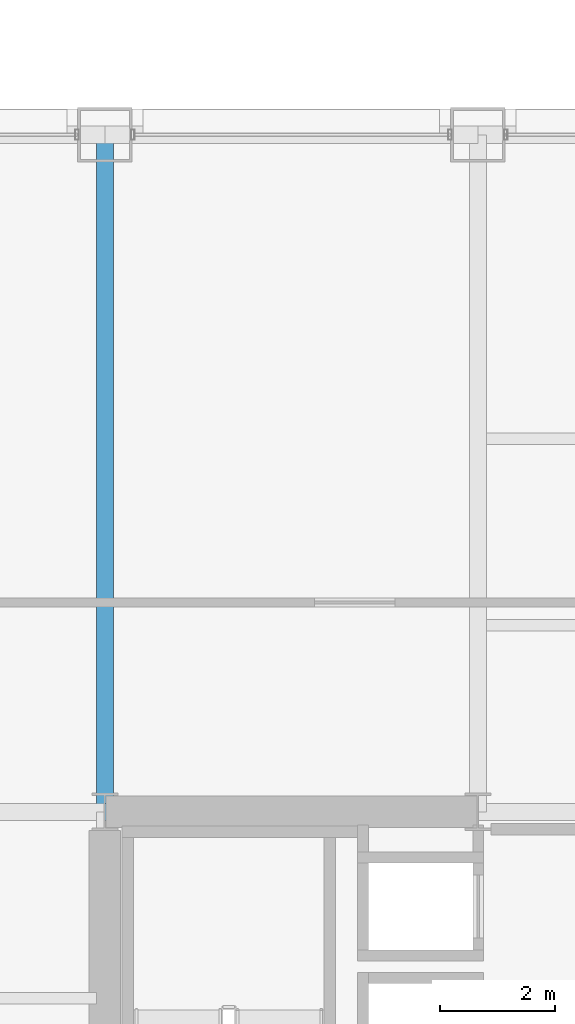
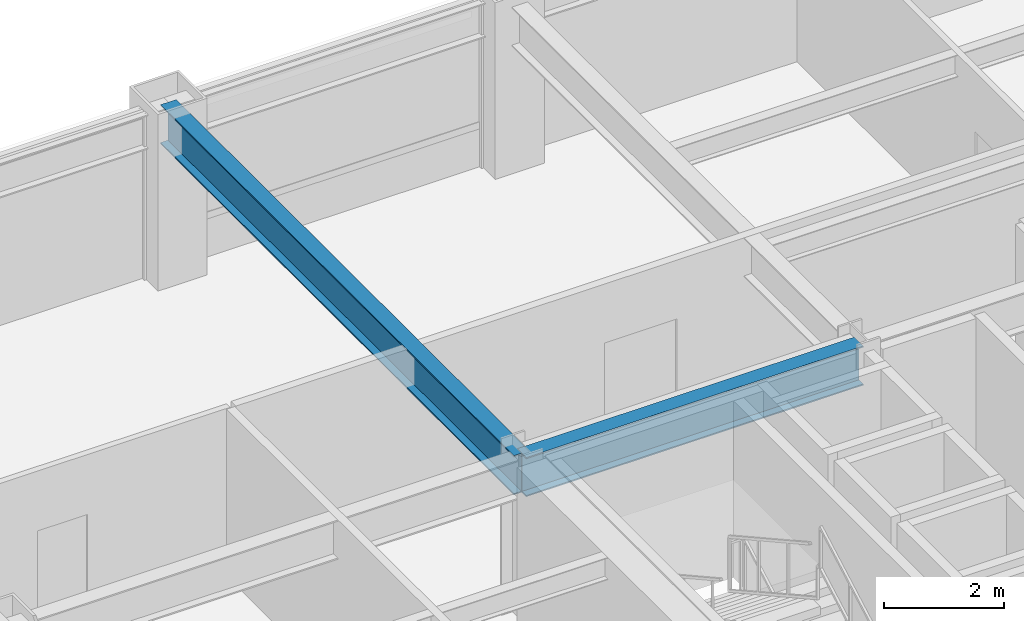
# One storey, part 16 of 31: 2 beams.
"""IFC4 building model written with IfcOpenShell, lengths in metres."""

from ifc_helpers import new_model, si_unit, direction, frame, origin, origin_2d, place, context, subcontext, project, spatial, i_section, extrude, material, material_profile, profile_set, type_object, element, save


model = new_model("IFC4")

# Units and contexts
model_context = context("Model", 3, precision=1e-05, world=origin(), true_north=direction((0.0, 1.0)))
body_context = subcontext(model_context, "Body", "Model", "MODEL_VIEW")
ifc_project = project(units=[si_unit("LENGTHUNIT", "METRE"), si_unit("AREAUNIT", "SQUARE_METRE"), si_unit("VOLUMEUNIT", "CUBIC_METRE"), si_unit("PLANEANGLEUNIT", "RADIAN"), si_unit("MASSUNIT", "GRAM", prefix="KILO")], contexts=[model_context])

# Site, building, storey
site_placement = place(None, origin())
site = spatial("IfcSite", under=ifc_project, at=site_placement, CompositionType="ELEMENT")
building_placement = place(site_placement, origin())
building = spatial("IfcBuilding", under=site, at=building_placement, Name="Brelmoor Portico Tower", CompositionType="ELEMENT")
storey_placement = place(building_placement, frame((0.0, 0.0, 38.39990234375)))
storey = spatial("IfcBuildingStorey", under=building, at=storey_placement, Name="L09", CompositionType="ELEMENT", Elevation=38.39990234375)

# Beams
ifc_material = material(Name="Steel Q355B", Category="steel")
ifc_material_profile = material_profile(ifc_material, i_section(OverallWidth=0.300048828125, OverallDepth=0.800048828125, WebThickness=0.013916015625, FlangeThickness=0.02587890625, at=origin_2d()), Name="HN 800x300x14x26")
ifc_profile_set = profile_set([ifc_material_profile], Name="Steel Q355B")
beam_type = type_object("IfcBeamType", Name="BM-PG-800", PredefinedType="BEAM", material=ifc_profile_set)
beam_1_placement = place(storey_placement, frame((-14.550048828125, 9.75, 3.0), z_axis=(0.0, 1.0, 0.0), x_axis=(-1.0, 0.0, 0.0)))
element("IfcBeam", 1, at=beam_1_placement, inside=storey, type_object=beam_type, Name="L09 Primary Floor Girder PG-06", PredefinedType="BEAM", context=body_context, shape_type="SweptSolid", body=[
    extrude(i_section(OverallWidth=0.300048828125, OverallDepth=0.800048828125, WebThickness=0.013916015625, FlangeThickness=0.02587890625, at=origin_2d()), origin(), (0.0, 0.0, 1.0), 11.800048828125),
])
beam_2_placement = place(storey_placement, frame((-14.550048828125, 9.75, 3.0), z_axis=(1.0, 0.0, 0.0), x_axis=(0.0, 1.0, 0.0)))
element("IfcBeam", 2, at=beam_2_placement, inside=storey, type_object=beam_type, Name="L09 Primary Floor Girder PG-28", PredefinedType="BEAM", context=body_context, shape_type="SweptSolid", body=[
    extrude(i_section(OverallWidth=0.300048828125, OverallDepth=0.800048828125, WebThickness=0.013916015625, FlangeThickness=0.02587890625, at=origin_2d()), origin(), (0.0, 0.0, 1.0), 6.5),
])

save(model, "model.ifc")
